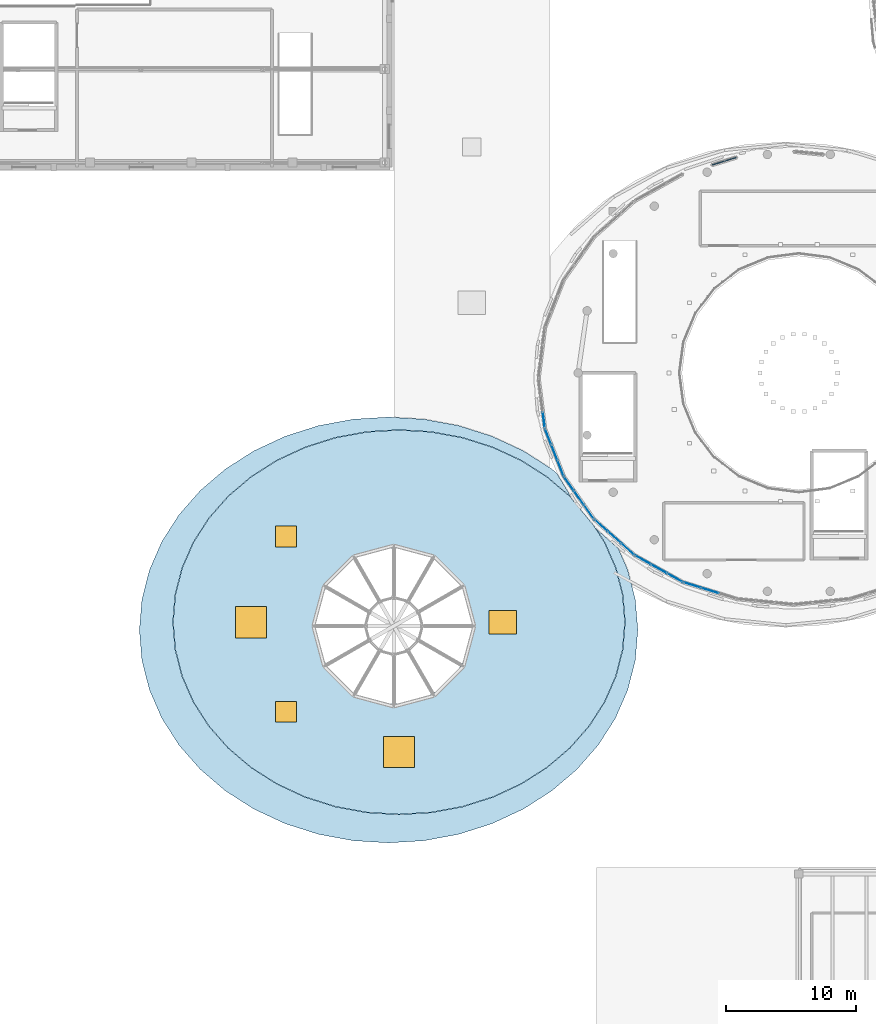
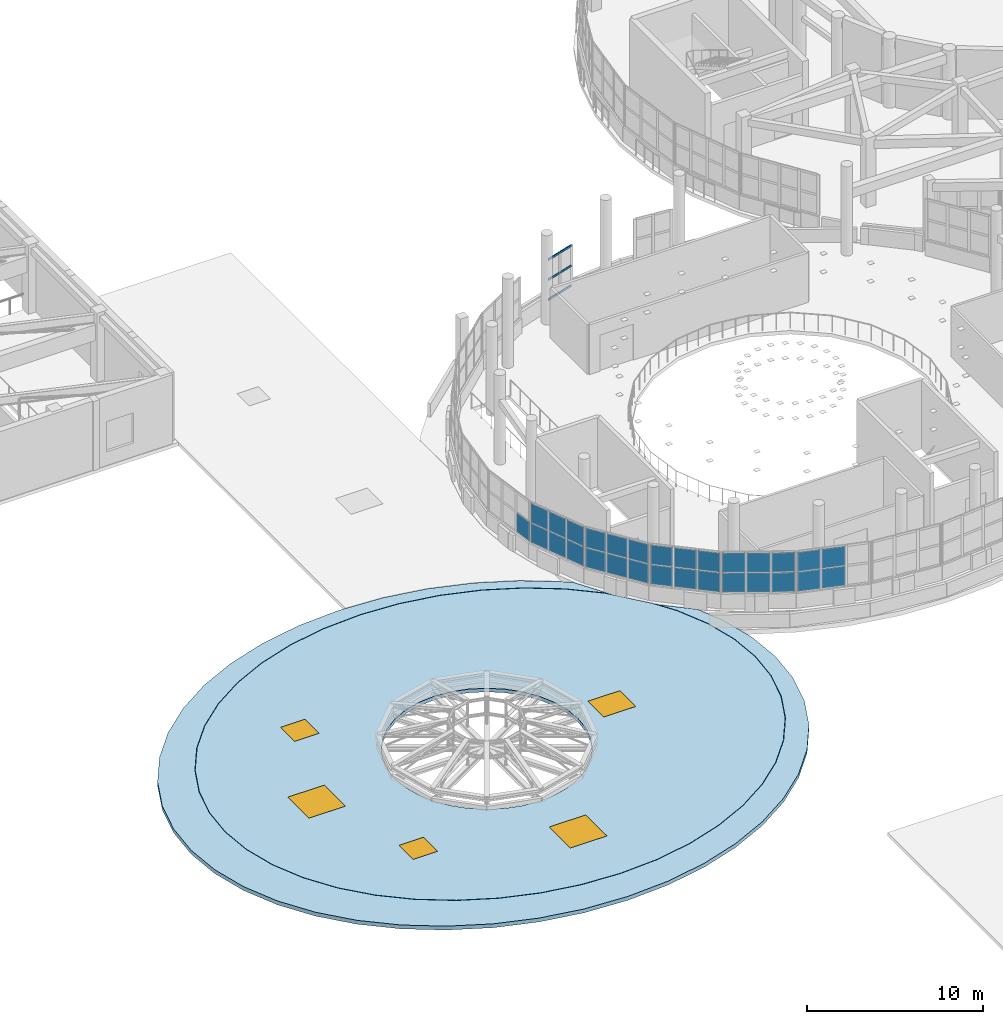
# One storey, part 68 of 105: 29 plates, 6 members, 5 windows, 2 slabs, 5 openings, 7 elements without a shape of their own.
"""IFC4 building model written with IfcOpenShell, lengths in metres."""

import ifcopenshell
import ifcopenshell.guid

model = None  # the IFC model being written
_history = None  # IfcOwnerHistory: only IFC2X3 demands one
_inside = {}  # id of a spatial element -> (the spatial element, [elements in it])
_under = {}  # id of a project, library or spatial element -> (it, [spatial elements below it])
_declared = {}  # id of a project -> (the project, [libraries it declares])
_typed = {}  # id of a type object -> (the type object, [elements of that type])
_made_of = {}  # id of a material, layer set ... -> (it, [elements and type objects made of it])


def new_model(schema):
    """Start an empty IFC model of exactly this schema.

    Asked for "IFC4X3", IfcOpenShell would pick the latest addendum, in which some entities
    have other attributes; the version numbers below select the first issue.
    IFC2X3 requires an IfcOwnerHistory on every rooted entity: one is made here for all.
    """
    global model, _history
    if schema == "IFC4X3":
        model = ifcopenshell.file(schema_version=(4, 3, 0, 0))
    else:
        model = ifcopenshell.file(schema=schema)
    _inside.clear()
    _under.clear()
    _declared.clear()
    _typed.clear()
    _made_of.clear()
    _history = None
    if model.schema == "IFC2X3":
        org = make("IfcOrganization", Name="unknown")
        user = make(
            "IfcPersonAndOrganization",
            ThePerson=make("IfcPerson", FamilyName="unknown"),
            TheOrganization=org,
        )
        app = make(
            "IfcApplication",
            ApplicationDeveloper=org,
            Version="unknown",
            ApplicationFullName="unknown",
            ApplicationIdentifier="unknown",
        )
        _history = make(
            "IfcOwnerHistory",
            OwningUser=user,
            OwningApplication=app,
            ChangeAction="ADDED",
            CreationDate=0,
        )
    return model


def make(cls, **values):
    """One entity of the class cls with the attributes given. An attribute that is None is left unset."""
    return model.create_entity(
        cls, **{name: value for name, value in values.items() if value is not None}
    )


def rooted(cls, **values):
    """An entity with a GlobalId (a new one), such as an element, a storey or a relation."""
    return make(cls, GlobalId=ifcopenshell.guid.new(), OwnerHistory=_history, **values)


def si_unit(unit_type, name, prefix=None):
    """IfcSIUnit, for example si_unit("LENGTHUNIT", "METRE", prefix="MILLI")."""
    return make("IfcSIUnit", UnitType=unit_type, Prefix=prefix, Name=name)


def assignment(units):
    """IfcUnitAssignment: the units of a project."""
    return None if units is None else make("IfcUnitAssignment", Units=units)


def point(xyz):
    """IfcCartesianPoint."""
    return None if xyz is None else make("IfcCartesianPoint", Coordinates=xyz)


def direction(xyz):
    """IfcDirection."""
    return None if xyz is None else make("IfcDirection", DirectionRatios=xyz)


def frame(location, z_axis=None, x_axis=None):
    """IfcAxis2Placement3D, a coordinate frame: its origin and axes. An axis left out is left unset."""
    return make(
        "IfcAxis2Placement3D",
        Location=point(location),
        Axis=direction(z_axis),
        RefDirection=direction(x_axis),
    )


def frame_2d(location, x_axis=None):
    """IfcAxis2Placement2D, a coordinate frame in the plane: its origin and x axis."""
    return make(
        "IfcAxis2Placement2D", Location=point(location), RefDirection=direction(x_axis)
    )


def origin():
    """The frame at (0, 0, 0) with its axes left unset."""
    return frame((0.0, 0.0, 0.0))


def origin_2d():
    """The frame at (0, 0) in the plane with its x axis left unset."""
    return frame_2d((0.0, 0.0))


def place(relative_to, where):
    """IfcLocalPlacement: puts the frame where relative to a parent placement (None: the world)."""
    return make(
        "IfcLocalPlacement", PlacementRelTo=relative_to, RelativePlacement=where
    )


def context(
    kind, dimensions, precision=None, world=None, true_north=None, identifier=None
):
    """IfcGeometricRepresentationContext, for example the 3D "Model" context."""
    return make(
        "IfcGeometricRepresentationContext",
        ContextIdentifier=identifier,
        ContextType=kind,
        CoordinateSpaceDimension=dimensions,
        Precision=precision,
        WorldCoordinateSystem=world,
        TrueNorth=true_north,
    )


def subcontext(parent, identifier, kind, view, scale=None):
    """IfcGeometricRepresentationSubContext, for example "Body" below "Model"."""
    return make(
        "IfcGeometricRepresentationSubContext",
        ContextIdentifier=identifier,
        ContextType=kind,
        ParentContext=parent,
        TargetScale=scale,
        TargetView=view,
    )


def project(units=None, contexts=None):
    """IfcProject with its units and contexts."""
    return rooted(
        "IfcProject",
        Name="project",
        RepresentationContexts=contexts,
        UnitsInContext=assignment(units),
    )


def spatial(cls, under=None, at=None, **own):
    """A site, building, storey or space (cls), placed at a placement, below another one or the project."""
    s = rooted(cls, ObjectPlacement=at, **own)
    if under is not None:
        _under.setdefault(under.id(), (under, []))[1].append(s)
    return s


def polyline(points):
    """IfcPolyline through the points."""
    return make("IfcPolyline", Points=[point(p) for p in points])


def profile(cls, at=None, kind="AREA", **sizes):
    """A parametric profile (cls). Its sizes go by their IFC names, for example OverallWidth=200.0."""
    return make(cls, ProfileType=kind, Position=at, **sizes)


def rectangle(**sizes):
    """IfcRectangleProfileDef."""
    return profile("IfcRectangleProfileDef", **sizes)


def hollow_rectangle(**sizes):
    """IfcRectangleHollowProfileDef."""
    return profile("IfcRectangleHollowProfileDef", **sizes)


def outline(outer, holes=None, kind="AREA"):
    """IfcArbitraryClosedProfileDef: a profile drawn as a closed curve; with holes, ...WithVoids."""
    if holes is None:
        return make("IfcArbitraryClosedProfileDef", ProfileType=kind, OuterCurve=outer)
    return make(
        "IfcArbitraryProfileDefWithVoids",
        ProfileType=kind,
        OuterCurve=outer,
        InnerCurves=holes,
    )


def extrude(swept, where, along, depth):
    """IfcExtrudedAreaSolid: the profile swept, set in the frame where, extruded along a direction by depth."""
    return make(
        "IfcExtrudedAreaSolid",
        SweptArea=swept,
        Position=where,
        ExtrudedDirection=direction(along),
        Depth=depth,
    )


def shape(context_of_items, identifier, shape_type, items):
    """IfcShapeRepresentation: the items that make up one representation, for example the "Body"."""
    return make(
        "IfcShapeRepresentation",
        ContextOfItems=context_of_items,
        RepresentationIdentifier=identifier,
        RepresentationType=shape_type,
        Items=items,
    )


def material(Name=None, Category=None):
    """IfcMaterial."""
    return make("IfcMaterial", Name=Name, Category=Category)


def layer(
    of_material, thickness, ventilated=None, Name=None, Category=None, Priority=None
):
    """IfcMaterialLayer: one layer of a wall or slab, of a material (None: an air gap)."""
    return make(
        "IfcMaterialLayer",
        Material=of_material,
        LayerThickness=thickness,
        IsVentilated=ventilated,
        Name=Name,
        Category=Category,
        Priority=Priority,
    )


def layer_set(layers, Name=None):
    """IfcMaterialLayerSet."""
    return make("IfcMaterialLayerSet", MaterialLayers=layers, LayerSetName=Name)


def material_profile(
    of_material, cross_section, Name=None, Category=None, Priority=None
):
    """IfcMaterialProfile: a cross section and its material."""
    return make(
        "IfcMaterialProfile",
        Name=Name,
        Material=of_material,
        Profile=cross_section,
        Priority=Priority,
        Category=Category,
    )


def profile_set(profiles, Name=None, composite=None):
    """IfcMaterialProfileSet."""
    return make(
        "IfcMaterialProfileSet",
        Name=Name,
        MaterialProfiles=profiles,
        CompositeProfile=composite,
    )


def made_of(thing, what):
    """Note that an element or type object is made of a material, layer set ...; save() writes the relation."""
    if what is not None:
        _made_of.setdefault(what.id(), (what, []))[1].append(thing)
    return thing


def type_object(cls, material=None, **own):
    """A type object (cls), such as IfcWallType, which elements share."""
    return made_of(rooted(cls, **own), material)


def element(
    cls,
    number,
    at=None,
    inside=None,
    cuts=None,
    type_object=None,
    material=None,
    context=None,
    identifier="Body",
    shape_type=None,
    held_by="IfcProductDefinitionShape",
    body=None,
    shapes=None,
    **own,
):
    """One element of the class cls, such as IfcWall. Its Tag is "e" and its number.

    at: its placement. inside: the storey or other place that contains it. cuts: it is an
    opening in that element (IfcRelVoidsElement). A single representation is given by context,
    identifier, shape_type and body (its items); several are given by shapes. held_by: the class
    of the entity that holds the representations. save() writes the other relations.
    """
    e = rooted(cls, Tag="e%d" % number, ObjectPlacement=at, **own)
    if body is not None:
        shapes = [shape(context, identifier, shape_type, body)]
    if shapes is not None:
        e.Representation = make(held_by, Representations=shapes)
    if inside is not None:
        _inside.setdefault(inside.id(), (inside, []))[1].append(e)
    if cuts is not None:
        rooted(
            "IfcRelVoidsElement", RelatingBuildingElement=cuts, RelatedOpeningElement=e
        )
    if type_object is not None:
        _typed.setdefault(type_object.id(), (type_object, []))[1].append(e)
    return made_of(e, material)


def fill(opening, filler):
    """IfcRelFillsElement: the door or window that sits in an opening."""
    return rooted(
        "IfcRelFillsElement",
        RelatingOpeningElement=opening,
        RelatedBuildingElement=filler,
    )


def aggregate(whole, parts):
    """IfcRelAggregates: a whole, such as a stair, and the parts it consists of."""
    return rooted("IfcRelAggregates", RelatingObject=whole, RelatedObjects=parts)


def save(model, path):
    """Write the relations noted so far, then the file.

    IfcRelAggregates (storeys below a building ...), IfcRelContainedInSpatialStructure (elements
    in a storey), IfcRelDefinesByType, IfcRelAssociatesMaterial and IfcRelDeclares: one each for
    every whole, place, type object, material and project.
    """
    for whole, parts in _under.values():
        aggregate(whole, parts)
    for where, things in _inside.values():
        rooted(
            "IfcRelContainedInSpatialStructure",
            RelatedElements=things,
            RelatingStructure=where,
        )
    for kind, things in _typed.values():
        rooted("IfcRelDefinesByType", RelatedObjects=things, RelatingType=kind)
    for what, things in _made_of.values():
        rooted("IfcRelAssociatesMaterial", RelatedObjects=things, RelatingMaterial=what)
    for by, libraries in _declared.values():
        rooted("IfcRelDeclares", RelatingContext=by, RelatedDefinitions=libraries)
    model.write(path)


model = new_model("IFC4")

# Units and contexts
model_context = context("Model", 3, precision=1e-05, world=origin(), true_north=direction((0.0, 1.0)))
body_context = subcontext(model_context, "Body", "Model", "MODEL_VIEW")
ifc_project = project(units=[si_unit("LENGTHUNIT", "METRE"), si_unit("AREAUNIT", "SQUARE_METRE"), si_unit("VOLUMEUNIT", "CUBIC_METRE"), si_unit("PLANEANGLEUNIT", "RADIAN"), si_unit("MASSUNIT", "GRAM", prefix="KILO")], contexts=[model_context])

# Site, building, storey
site_placement = place(None, origin())
site = spatial("IfcSite", under=ifc_project, at=site_placement, CompositionType="ELEMENT")
building_placement = place(site_placement, origin())
building = spatial("IfcBuilding", under=site, at=building_placement, Name="Pelvatis Terrace Science Centre", CompositionType="ELEMENT")
storey_placement = place(building_placement, frame((0.0, 0.0, 10.199951171875)))
storey = spatial("IfcBuildingStorey", under=building, at=storey_placement, Name="L02", CompositionType="ELEMENT", Elevation=10.199951171875)

# Curtain wall, members
ifc_material_1 = material(Name="Bronze-anodised aluminium and laminated glass", Category="aluminium")
ifc_layer_1 = layer(ifc_material_1, 0.179931640625)
ifc_layer_set_1 = layer_set([ifc_layer_1], Name="Bronze-anodised aluminium and laminated glass")
curtain_wall_type = type_object("IfcCurtainWallType", Name="CW-RIBBON-A", PredefinedType="NOTDEFINED", material=ifc_layer_set_1)
curtain_wall_1_placement = place(storey_placement, origin())
curtain_wall_1 = element("IfcCurtainWall", 1, at=curtain_wall_1_placement, inside=storey, type_object=curtain_wall_type, Name="Ribbon curtain wall CW-081 (L02)", PredefinedType="NOTDEFINED")
ifc_material_2 = material(Name="Bronze-anodised aluminium 6063-T6", Category="aluminium")
ifc_material_profile = material_profile(ifc_material_2, hollow_rectangle(XDim=0.06005859375, YDim=0.139892578125, WallThickness=0.00390625, at=origin_2d()), Name="ALU-TRN 60x140")
ifc_profile_set = profile_set([ifc_material_profile], Name="Bronze-anodised aluminium 6063-T6")
member_type = type_object("IfcMemberType", Name="CWT-60x140", PredefinedType="USERDEFINED", material=ifc_profile_set)
member_1_placement = place(storey_placement, frame((73.170166015625, 71.194580078125, 1.050048828125), z_axis=(-0.955009936884, -0.296573802708, 0.0), x_axis=(0.296573802708, -0.955009936884, 0.0)))
member_1 = element("IfcMember", 2, at=member_1_placement, type_object=member_type, Name="CW-081 transom 1.1", ObjectType="TRANSOM", PredefinedType="USERDEFINED", context=body_context, shape_type="SweptSolid", body=[
    extrude(hollow_rectangle(XDim=0.06005859375, YDim=0.139892578125, WallThickness=0.00390625, at=origin_2d()), origin(), (0.0, 0.0, 1.0), 0.923583984375),
])
member_2_placement = place(storey_placement, frame((73.170166015625, 71.194580078125, 2.43994140625), z_axis=(-0.955009936884, -0.296573802708, 0.0), x_axis=(0.296573802708, -0.955009936884, 0.0)))
member_2 = element("IfcMember", 3, at=member_2_placement, type_object=member_type, Name="CW-081 transom 1.2", ObjectType="TRANSOM", PredefinedType="USERDEFINED", context=body_context, shape_type="SweptSolid", body=[
    extrude(hollow_rectangle(XDim=0.06005859375, YDim=0.139892578125, WallThickness=0.00390625, at=origin_2d()), origin(), (0.0, 0.0, 1.0), 0.923583984375),
])
member_3_placement = place(storey_placement, frame((73.170166015625, 71.194580078125, 3.830078125), z_axis=(-0.955009936884, -0.296573802708, 0.0), x_axis=(0.296573802708, -0.955009936884, 0.0)))
member_3 = element("IfcMember", 4, at=member_3_placement, type_object=member_type, Name="CW-081 transom 1.3", ObjectType="TRANSOM", PredefinedType="USERDEFINED", context=body_context, shape_type="SweptSolid", body=[
    extrude(hollow_rectangle(XDim=0.06005859375, YDim=0.139892578125, WallThickness=0.00390625, at=origin_2d()), origin(), (0.0, 0.0, 1.0), 0.923583984375),
])
member_4_placement = place(storey_placement, frame((72.230712890625, 70.90283203125, 1.050048828125), z_axis=(-0.954935047025, -0.296814851317, 0.0), x_axis=(0.296814851317, -0.954935047025, 0.0)))
member_4 = element("IfcMember", 5, at=member_4_placement, type_object=member_type, Name="CW-081 transom 2.1", ObjectType="TRANSOM", PredefinedType="USERDEFINED", context=body_context, shape_type="SweptSolid", body=[
    extrude(hollow_rectangle(XDim=0.06005859375, YDim=0.139892578125, WallThickness=0.00390625, at=origin_2d()), origin(), (0.0, 0.0, 1.0), 0.923828125),
])
member_5_placement = place(storey_placement, frame((72.230712890625, 70.90283203125, 2.43994140625), z_axis=(-0.954935047025, -0.296814851317, 0.0), x_axis=(0.296814851317, -0.954935047025, 0.0)))
member_5 = element("IfcMember", 6, at=member_5_placement, type_object=member_type, Name="CW-081 transom 2.2", ObjectType="TRANSOM", PredefinedType="USERDEFINED", context=body_context, shape_type="SweptSolid", body=[
    extrude(hollow_rectangle(XDim=0.06005859375, YDim=0.139892578125, WallThickness=0.00390625, at=origin_2d()), origin(), (0.0, 0.0, 1.0), 0.923828125),
])
member_6_placement = place(storey_placement, frame((72.230712890625, 70.90283203125, 3.830078125), z_axis=(-0.954935047025, -0.296814851317, 0.0), x_axis=(0.296814851317, -0.954935047025, 0.0)))
member_6 = element("IfcMember", 7, at=member_6_placement, type_object=member_type, Name="CW-081 transom 2.3", ObjectType="TRANSOM", PredefinedType="USERDEFINED", context=body_context, shape_type="SweptSolid", body=[
    extrude(hollow_rectangle(XDim=0.06005859375, YDim=0.139892578125, WallThickness=0.00390625, at=origin_2d()), origin(), (0.0, 0.0, 1.0), 0.923828125),
])
aggregate(curtain_wall_1, [member_1, member_2, member_3, member_4, member_5, member_6])

# Curtain wall, plate
curtain_wall_2_placement = place(storey_placement, origin())
curtain_wall_2 = element("IfcCurtainWall", 8, at=curtain_wall_2_placement, inside=storey, type_object=curtain_wall_type, Name="Ribbon curtain wall CW-087 (L02)", PredefinedType="NOTDEFINED")
ifc_material_3 = material(Name="Low-e laminated solar-control double glazing", Category="glass")
ifc_layer_2 = layer(ifc_material_3, 0.035888671875)
ifc_layer_set_2 = layer_set([ifc_layer_2], Name="Low-e laminated solar-control double glazing")
plate_type = type_object("IfcPlateType", Name="CWP-IGU-36", PredefinedType="CURTAIN_PANEL", material=ifc_layer_set_2)
plate_1_placement = place(storey_placement, frame((58.358642578125, 50.97900390625, 1.080078125), z_axis=(0.0, 0.0, 1.0), x_axis=(0.125877152665, -0.992045836863, 0.0)))
plate_1 = element("IfcPlate", 9, at=plate_1_placement, type_object=plate_type, Name="CW-087 panel 3.1", PredefinedType="CURTAIN_PANEL", context=body_context, shape_type="SweptSolid", body=[
    extrude(rectangle(XDim=1.214599609375, YDim=0.035888671875, at=origin_2d()), origin(), (0.0, 0.0, 1.0), 1.330078125),
])
aggregate(curtain_wall_2, [plate_1])

# Curtain wall, plates
curtain_wall_3_placement = place(storey_placement, origin())
curtain_wall_3 = element("IfcCurtainWall", 10, at=curtain_wall_3_placement, inside=storey, type_object=curtain_wall_type, Name="Ribbon curtain wall CW-088 (L02)", PredefinedType="NOTDEFINED")
plate_2_placement = place(storey_placement, frame((58.6904296875, 49.688232421875, 1.080078125), z_axis=(0.0, 0.0, 1.0), x_axis=(0.366597305287, -0.930379715899, 0.0)))
plate_2 = element("IfcPlate", 11, at=plate_2_placement, type_object=plate_type, Name="CW-088 panel 1.1", PredefinedType="CURTAIN_PANEL", context=body_context, shape_type="SweptSolid", body=[
    extrude(rectangle(XDim=1.2314453125, YDim=0.035888671875, at=origin_2d()), origin(), (0.0, 0.0, 1.0), 1.330078125),
])
plate_3_placement = place(storey_placement, frame((58.6904296875, 49.688232421875, 2.469970703125), z_axis=(0.0, 0.0, 1.0), x_axis=(0.366597305287, -0.930379715899, 0.0)))
plate_3 = element("IfcPlate", 12, at=plate_3_placement, type_object=plate_type, Name="CW-088 panel 1.2", PredefinedType="CURTAIN_PANEL", context=body_context, shape_type="SweptSolid", body=[
    extrude(rectangle(XDim=1.2314453125, YDim=0.035888671875, at=origin_2d()), origin(), (0.0, 0.0, 1.0), 1.330078125),
])
plate_4_placement = place(storey_placement, frame((59.16943359375, 48.472900390625, 1.080078125), z_axis=(0.0, 0.0, 1.0), x_axis=(0.366597305287, -0.930379715899, 0.0)))
plate_4 = element("IfcPlate", 13, at=plate_4_placement, type_object=plate_type, Name="CW-088 panel 2.1", PredefinedType="CURTAIN_PANEL", context=body_context, shape_type="SweptSolid", body=[
    extrude(rectangle(XDim=1.261474609375, YDim=0.035888671875, at=origin_2d()), origin(), (0.0, 0.0, 1.0), 1.330078125),
])
plate_5_placement = place(storey_placement, frame((59.16943359375, 48.472900390625, 2.469970703125), z_axis=(0.0, 0.0, 1.0), x_axis=(0.366597305287, -0.930379715899, 0.0)))
plate_5 = element("IfcPlate", 14, at=plate_5_placement, type_object=plate_type, Name="CW-088 panel 2.2", PredefinedType="CURTAIN_PANEL", context=body_context, shape_type="SweptSolid", body=[
    extrude(rectangle(XDim=1.261474609375, YDim=0.035888671875, at=origin_2d()), origin(), (0.0, 0.0, 1.0), 1.330078125),
])
plate_6_placement = place(storey_placement, frame((59.648193359375, 47.25732421875, 1.080078125), z_axis=(0.0, 0.0, 1.0), x_axis=(0.366597305287, -0.930379715899, 0.0)))
plate_6 = element("IfcPlate", 15, at=plate_6_placement, type_object=plate_type, Name="CW-088 panel 3.1", PredefinedType="CURTAIN_PANEL", context=body_context, shape_type="SweptSolid", body=[
    extrude(rectangle(XDim=1.2314453125, YDim=0.035888671875, at=origin_2d()), origin(), (0.0, 0.0, 1.0), 1.330078125),
])
plate_7_placement = place(storey_placement, frame((59.648193359375, 47.25732421875, 2.469970703125), z_axis=(0.0, 0.0, 1.0), x_axis=(0.366597305287, -0.930379715899, 0.0)))
plate_7 = element("IfcPlate", 16, at=plate_7_placement, type_object=plate_type, Name="CW-088 panel 3.2", PredefinedType="CURTAIN_PANEL", context=body_context, shape_type="SweptSolid", body=[
    extrude(rectangle(XDim=1.2314453125, YDim=0.035888671875, at=origin_2d()), origin(), (0.0, 0.0, 1.0), 1.330078125),
])
aggregate(curtain_wall_3, [plate_2, plate_3, plate_4, plate_5, plate_6, plate_7])

curtain_wall_4_placement = place(storey_placement, origin())
curtain_wall_4 = element("IfcCurtainWall", 17, at=curtain_wall_4_placement, inside=storey, type_object=curtain_wall_type, Name="Ribbon curtain wall CW-089 (L02)", PredefinedType="NOTDEFINED")
plate_8_placement = place(storey_placement, frame((60.294921875, 46.06494140625, 1.080078125), z_axis=(0.0, 0.0, 1.0), x_axis=(0.57759146286, -0.8163259778, 0.0)))
plate_8 = element("IfcPlate", 18, at=plate_8_placement, type_object=plate_type, Name="CW-089 panel 1.1", PredefinedType="CURTAIN_PANEL", context=body_context, shape_type="SweptSolid", body=[
    extrude(rectangle(XDim=1.260986328125, YDim=0.035888671875, at=origin_2d()), origin(), (0.0, 0.0, 1.0), 1.330078125),
])
plate_9_placement = place(storey_placement, frame((60.294921875, 46.06494140625, 2.469970703125), z_axis=(0.0, 0.0, 1.0), x_axis=(0.57759146286, -0.8163259778, 0.0)))
plate_9 = element("IfcPlate", 19, at=plate_9_placement, type_object=plate_type, Name="CW-089 panel 1.2", PredefinedType="CURTAIN_PANEL", context=body_context, shape_type="SweptSolid", body=[
    extrude(rectangle(XDim=1.260986328125, YDim=0.035888671875, at=origin_2d()), origin(), (0.0, 0.0, 1.0), 1.330078125),
])
plate_10_placement = place(storey_placement, frame((61.06640625, 44.974365234375, 1.080078125), z_axis=(0.0, 0.0, 1.0), x_axis=(0.57759146286, -0.8163259778, 0.0)))
plate_10 = element("IfcPlate", 20, at=plate_10_placement, type_object=plate_type, Name="CW-089 panel 2.1", PredefinedType="CURTAIN_PANEL", context=body_context, shape_type="SweptSolid", body=[
    extrude(rectangle(XDim=1.291015625, YDim=0.035888671875, at=origin_2d()), origin(), (0.0, 0.0, 1.0), 1.330078125),
])
plate_11_placement = place(storey_placement, frame((61.06640625, 44.974365234375, 2.469970703125), z_axis=(0.0, 0.0, 1.0), x_axis=(0.57759146286, -0.8163259778, 0.0)))
plate_11 = element("IfcPlate", 21, at=plate_11_placement, type_object=plate_type, Name="CW-089 panel 2.2", PredefinedType="CURTAIN_PANEL", context=body_context, shape_type="SweptSolid", body=[
    extrude(rectangle(XDim=1.291015625, YDim=0.035888671875, at=origin_2d()), origin(), (0.0, 0.0, 1.0), 1.330078125),
])
plate_12_placement = place(storey_placement, frame((61.838134765625, 43.8837890625, 1.080078125), z_axis=(0.0, 0.0, 1.0), x_axis=(0.57759146286, -0.8163259778, 0.0)))
plate_12 = element("IfcPlate", 22, at=plate_12_placement, type_object=plate_type, Name="CW-089 panel 3.1", PredefinedType="CURTAIN_PANEL", context=body_context, shape_type="SweptSolid", body=[
    extrude(rectangle(XDim=1.260986328125, YDim=0.035888671875, at=origin_2d()), origin(), (0.0, 0.0, 1.0), 1.330078125),
])
plate_13_placement = place(storey_placement, frame((61.838134765625, 43.8837890625, 2.469970703125), z_axis=(0.0, 0.0, 1.0), x_axis=(0.57759146286, -0.8163259778, 0.0)))
plate_13 = element("IfcPlate", 23, at=plate_13_placement, type_object=plate_type, Name="CW-089 panel 3.2", PredefinedType="CURTAIN_PANEL", context=body_context, shape_type="SweptSolid", body=[
    extrude(rectangle(XDim=1.260986328125, YDim=0.035888671875, at=origin_2d()), origin(), (0.0, 0.0, 1.0), 1.330078125),
])
aggregate(curtain_wall_4, [plate_8, plate_9, plate_10, plate_11, plate_12, plate_13])

curtain_wall_5_placement = place(storey_placement, origin())
curtain_wall_5 = element("IfcCurtainWall", 24, at=curtain_wall_5_placement, inside=storey, type_object=curtain_wall_type, Name="Ribbon curtain wall CW-090 (L02)", PredefinedType="NOTDEFINED")
plate_14_placement = place(storey_placement, frame((62.766845703125, 42.849609375, 1.080078125), z_axis=(0.0, 0.0, 1.0), x_axis=(0.747718167808, -0.664016220834, 0.0)))
plate_14 = element("IfcPlate", 25, at=plate_14_placement, type_object=plate_type, Name="CW-090 panel 1.1", PredefinedType="CURTAIN_PANEL", context=body_context, shape_type="SweptSolid", body=[
    extrude(rectangle(XDim=1.297119140625, YDim=0.035888671875, at=origin_2d()), origin(), (0.0, 0.0, 1.0), 1.330078125),
])
plate_15_placement = place(storey_placement, frame((62.766845703125, 42.849609375, 2.469970703125), z_axis=(0.0, 0.0, 1.0), x_axis=(0.747718167808, -0.664016220834, 0.0)))
plate_15 = element("IfcPlate", 26, at=plate_15_placement, type_object=plate_type, Name="CW-090 panel 1.2", PredefinedType="CURTAIN_PANEL", context=body_context, shape_type="SweptSolid", body=[
    extrude(rectangle(XDim=1.297119140625, YDim=0.035888671875, at=origin_2d()), origin(), (0.0, 0.0, 1.0), 1.330078125),
])
plate_16_placement = place(storey_placement, frame((63.792724609375, 41.9384765625, 1.080078125), z_axis=(0.0, 0.0, 1.0), x_axis=(0.747718167808, -0.664016220834, 0.0)))
plate_16 = element("IfcPlate", 27, at=plate_16_placement, type_object=plate_type, Name="CW-090 panel 2.1", PredefinedType="CURTAIN_PANEL", context=body_context, shape_type="SweptSolid", body=[
    extrude(rectangle(XDim=1.3271484375, YDim=0.035888671875, at=origin_2d()), origin(), (0.0, 0.0, 1.0), 1.330078125),
])
plate_17_placement = place(storey_placement, frame((63.792724609375, 41.9384765625, 2.469970703125), z_axis=(0.0, 0.0, 1.0), x_axis=(0.747718167808, -0.664016220834, 0.0)))
plate_17 = element("IfcPlate", 28, at=plate_17_placement, type_object=plate_type, Name="CW-090 panel 2.2", PredefinedType="CURTAIN_PANEL", context=body_context, shape_type="SweptSolid", body=[
    extrude(rectangle(XDim=1.3271484375, YDim=0.035888671875, at=origin_2d()), origin(), (0.0, 0.0, 1.0), 1.330078125),
])
plate_18_placement = place(storey_placement, frame((64.818603515625, 41.027587890625, 1.080078125), z_axis=(0.0, 0.0, 1.0), x_axis=(0.747718167808, -0.664016220834, 0.0)))
plate_18 = element("IfcPlate", 29, at=plate_18_placement, type_object=plate_type, Name="CW-090 panel 3.1", PredefinedType="CURTAIN_PANEL", context=body_context, shape_type="SweptSolid", body=[
    extrude(rectangle(XDim=1.297119140625, YDim=0.035888671875, at=origin_2d()), origin(), (0.0, 0.0, 1.0), 1.330078125),
])
plate_19_placement = place(storey_placement, frame((64.818603515625, 41.027587890625, 2.469970703125), z_axis=(0.0, 0.0, 1.0), x_axis=(0.747718167808, -0.664016220834, 0.0)))
plate_19 = element("IfcPlate", 30, at=plate_19_placement, type_object=plate_type, Name="CW-090 panel 3.2", PredefinedType="CURTAIN_PANEL", context=body_context, shape_type="SweptSolid", body=[
    extrude(rectangle(XDim=1.297119140625, YDim=0.035888671875, at=origin_2d()), origin(), (0.0, 0.0, 1.0), 1.330078125),
])
aggregate(curtain_wall_5, [plate_14, plate_15, plate_16, plate_17, plate_18, plate_19])

curtain_wall_6_placement = place(storey_placement, origin())
curtain_wall_6 = element("IfcCurtainWall", 31, at=curtain_wall_6_placement, inside=storey, type_object=curtain_wall_type, Name="Ribbon curtain wall CW-091 (L02)", PredefinedType="NOTDEFINED")
plate_20_placement = place(storey_placement, frame((65.982421875, 40.203125, 1.080078125), z_axis=(0.0, 0.0, 1.0), x_axis=(0.87325916589, -0.487256020167, 0.0)))
plate_20 = element("IfcPlate", 32, at=plate_20_placement, type_object=plate_type, Name="CW-091 panel 1.1", PredefinedType="CURTAIN_PANEL", context=body_context, shape_type="SweptSolid", body=[
    extrude(rectangle(XDim=1.332275390625, YDim=0.035888671875, at=origin_2d()), origin(), (0.0, 0.0, 1.0), 1.330078125),
])
plate_21_placement = place(storey_placement, frame((65.982421875, 40.203125, 2.469970703125), z_axis=(0.0, 0.0, 1.0), x_axis=(0.87325916589, -0.487256020167, 0.0)))
plate_21 = element("IfcPlate", 33, at=plate_21_placement, type_object=plate_type, Name="CW-091 panel 1.2", PredefinedType="CURTAIN_PANEL", context=body_context, shape_type="SweptSolid", body=[
    extrude(rectangle(XDim=1.332275390625, YDim=0.035888671875, at=origin_2d()), origin(), (0.0, 0.0, 1.0), 1.330078125),
])
plate_22_placement = place(storey_placement, frame((67.211181640625, 39.517578125, 1.080078125), z_axis=(0.0, 0.0, 1.0), x_axis=(0.87325916589, -0.487256020167, 0.0)))
plate_22 = element("IfcPlate", 34, at=plate_22_placement, type_object=plate_type, Name="CW-091 panel 2.1", PredefinedType="CURTAIN_PANEL", context=body_context, shape_type="SweptSolid", body=[
    extrude(rectangle(XDim=1.362060546875, YDim=0.035888671875, at=origin_2d()), origin(), (0.0, 0.0, 1.0), 1.330078125),
])
plate_23_placement = place(storey_placement, frame((67.211181640625, 39.517578125, 2.469970703125), z_axis=(0.0, 0.0, 1.0), x_axis=(0.87325916589, -0.487256020167, 0.0)))
plate_23 = element("IfcPlate", 35, at=plate_23_placement, type_object=plate_type, Name="CW-091 panel 2.2", PredefinedType="CURTAIN_PANEL", context=body_context, shape_type="SweptSolid", body=[
    extrude(rectangle(XDim=1.362060546875, YDim=0.035888671875, at=origin_2d()), origin(), (0.0, 0.0, 1.0), 1.330078125),
])
plate_24_placement = place(storey_placement, frame((68.440185546875, 38.831787109375, 1.080078125), z_axis=(0.0, 0.0, 1.0), x_axis=(0.87325916589, -0.487256020167, 0.0)))
plate_24 = element("IfcPlate", 36, at=plate_24_placement, type_object=plate_type, Name="CW-091 panel 3.1", PredefinedType="CURTAIN_PANEL", context=body_context, shape_type="SweptSolid", body=[
    extrude(rectangle(XDim=1.332275390625, YDim=0.035888671875, at=origin_2d()), origin(), (0.0, 0.0, 1.0), 1.330078125),
])
plate_25_placement = place(storey_placement, frame((68.440185546875, 38.831787109375, 2.469970703125), z_axis=(0.0, 0.0, 1.0), x_axis=(0.87325916589, -0.487256020167, 0.0)))
plate_25 = element("IfcPlate", 37, at=plate_25_placement, type_object=plate_type, Name="CW-091 panel 3.2", PredefinedType="CURTAIN_PANEL", context=body_context, shape_type="SweptSolid", body=[
    extrude(rectangle(XDim=1.332275390625, YDim=0.035888671875, at=origin_2d()), origin(), (0.0, 0.0, 1.0), 1.330078125),
])
aggregate(curtain_wall_6, [plate_20, plate_21, plate_22, plate_23, plate_24, plate_25])

curtain_wall_7_placement = place(storey_placement, origin())
curtain_wall_7 = element("IfcCurtainWall", 38, at=curtain_wall_7_placement, inside=storey, type_object=curtain_wall_type, Name="Ribbon curtain wall CW-092 (L02)", PredefinedType="NOTDEFINED")
plate_26_placement = place(storey_placement, frame((69.78076171875, 38.258544921875, 1.080078125), z_axis=(0.0, 0.0, 1.0), x_axis=(0.954957016175, -0.296744161288, 0.0)))
plate_26 = element("IfcPlate", 39, at=plate_26_placement, type_object=plate_type, Name="CW-092 panel 1.1", PredefinedType="CURTAIN_PANEL", context=body_context, shape_type="SweptSolid", body=[
    extrude(rectangle(XDim=1.359619140625, YDim=0.035888671875, at=origin_2d()), origin(), (0.0, 0.0, 1.0), 1.330078125),
])
plate_27_placement = place(storey_placement, frame((69.78076171875, 38.258544921875, 2.469970703125), z_axis=(0.0, 0.0, 1.0), x_axis=(0.954957016175, -0.296744161288, 0.0)))
plate_27 = element("IfcPlate", 40, at=plate_27_placement, type_object=plate_type, Name="CW-092 panel 1.2", PredefinedType="CURTAIN_PANEL", context=body_context, shape_type="SweptSolid", body=[
    extrude(rectangle(XDim=1.359619140625, YDim=0.035888671875, at=origin_2d()), origin(), (0.0, 0.0, 1.0), 1.330078125),
])
plate_28_placement = place(storey_placement, frame((71.15087890625, 37.832763671875, 1.080078125), z_axis=(0.0, 0.0, 1.0), x_axis=(0.954957016175, -0.296744161288, 0.0)))
plate_28 = element("IfcPlate", 41, at=plate_28_placement, type_object=plate_type, Name="CW-092 panel 2.1", PredefinedType="CURTAIN_PANEL", context=body_context, shape_type="SweptSolid", body=[
    extrude(rectangle(XDim=1.3896484375, YDim=0.035888671875, at=origin_2d()), origin(), (0.0, 0.0, 1.0), 1.330078125),
])
plate_29_placement = place(storey_placement, frame((71.15087890625, 37.832763671875, 2.469970703125), z_axis=(0.0, 0.0, 1.0), x_axis=(0.954957016175, -0.296744161288, 0.0)))
plate_29 = element("IfcPlate", 42, at=plate_29_placement, type_object=plate_type, Name="CW-092 panel 2.2", PredefinedType="CURTAIN_PANEL", context=body_context, shape_type="SweptSolid", body=[
    extrude(rectangle(XDim=1.3896484375, YDim=0.035888671875, at=origin_2d()), origin(), (0.0, 0.0, 1.0), 1.330078125),
])
aggregate(curtain_wall_7, [plate_26, plate_27, plate_28, plate_29])

# Slab
ifc_material_4 = material(Name="Concrete C35/45", Category="concrete")
ifc_layer_3 = layer(ifc_material_4, 0.26806640625)
ifc_layer_set_3 = layer_set([ifc_layer_3], Name="Concrete C35/45")
slab_type_1 = type_object("IfcSlabType", Name="SLB-ROOF-220", PredefinedType="ROOF", material=ifc_layer_set_3)
slab_1_placement = place(storey_placement, frame((0.0, 0.0, -0.26806640625)))
element("IfcSlab", 43, at=slab_1_placement, inside=storey, type_object=slab_type_1, Name="L02 Rotunda spiral step collar roof", PredefinedType="ROOF", context=body_context, shape_type="SweptSolid", body=[
    extrude(outline(polyline([(65.404541015625, 32.466064453125), (64.822265625, 30.1796875), (63.864990234375, 27.9873046875), (62.552001953125, 25.93359375), (60.910400390625, 24.060302734375), (58.973388671875, 22.40576171875), (56.7802734375, 21.00341796875), (54.3759765625, 19.882080078125), (51.809326171875, 19.064208984375), (49.13232421875, 18.56689453125), (46.39990234375, 18.39990234375), (43.66748046875, 18.56689453125), (40.99072265625, 19.064208984375), (38.424072265625, 19.882080078125), (36.019775390625, 21.00341796875), (33.82666015625, 22.40576171875), (31.8896484375, 24.060302734375), (30.247802734375, 25.93359375), (28.93505859375, 27.9873046875), (27.977783203125, 30.1796875), (27.3955078125, 32.466064453125), (27.199951171875, 34.800048828125), (27.3955078125, 37.134033203125), (27.977783203125, 39.42041015625), (28.93505859375, 41.61279296875), (30.247802734375, 43.66650390625), (31.8896484375, 45.539794921875), (33.82666015625, 47.1943359375), (36.019775390625, 48.5966796875), (38.424072265625, 49.718017578125), (40.99072265625, 50.53564453125), (43.66748046875, 51.033203125), (46.39990234375, 51.199951171875), (49.13232421875, 51.033203125), (51.809326171875, 50.53564453125), (54.3759765625, 49.718017578125), (56.7802734375, 48.5966796875), (58.973388671875, 47.1943359375), (59.36181640625, 46.8623046875), (60.5703125, 44.871826171875), (60.363037109375, 45.107177734375), (58.607666015625, 46.600341796875), (56.615478515625, 47.86865234375), (54.43408203125, 48.881591796875), (52.105712890625, 49.6201171875), (49.679931640625, 50.069091796875), (47.201171875, 50.219970703125), (44.72021484375, 50.069091796875), (42.294189453125, 49.6201171875), (39.9658203125, 48.881591796875), (37.781982421875, 47.867431640625), (35.794677734375, 46.60205078125), (34.037109375, 45.107177734375), (32.546142578125, 43.41357421875), (31.35400390625, 41.55615234375), (30.48583984375, 39.576171875), (29.957763671875, 37.51123046875), (29.780029296875, 35.39990234375), (29.957763671875, 33.288818359375), (30.48583984375, 31.223876953125), (31.35400390625, 29.243896484375), (32.547119140625, 27.38525390625), (34.037109375, 25.69287109375), (35.79248046875, 24.19970703125), (37.781982421875, 22.9326171875), (39.9658203125, 21.918212890625), (42.294189453125, 21.1796875), (44.722412109375, 20.730712890625), (47.19873046875, 20.580078125), (49.677490234375, 20.730712890625), (52.108154296875, 21.180419921875), (54.43408203125, 21.918212890625), (56.615478515625, 22.931396484375), (58.607666015625, 24.19970703125), (60.363037109375, 25.69287109375), (61.852783203125, 27.38525390625), (63.045166015625, 29.242431640625), (63.91455078125, 31.225341796875), (64.442626953125, 33.290283203125), (64.619873046875, 35.398193359375), (64.442626953125, 37.509521484375), (63.91357421875, 39.57763671875), (63.045166015625, 41.5576171875), (62.262451171875, 42.777099609375), (62.4716796875, 42.528564453125), (64.096435546875, 41.08251953125), (64.822265625, 39.42041015625), (65.404541015625, 37.134033203125), (65.60009765625, 34.800048828125), (65.404541015625, 32.466064453125)])), origin(), (0.0, 0.0, 1.0), 0.26806640625),
])

# Slab, openings, windows
ifc_material_5 = material(Name="Concrete C35/45", Category="concrete")
ifc_layer_4 = layer(ifc_material_5, 0.248046875)
ifc_layer_set_4 = layer_set([ifc_layer_4], Name="Concrete C35/45")
slab_type_2 = type_object("IfcSlabType", Name="SLB-ROOF-248", PredefinedType="ROOF", material=ifc_layer_set_4)
slab_2_placement = place(storey_placement, frame((0.0, 0.0, -0.248046875)))
slab_2 = element("IfcSlab", 44, at=slab_2_placement, inside=storey, type_object=slab_type_2, Name="L02 Entrance Rotunda coffered oculus roof slab", PredefinedType="ROOF", context=body_context, shape_type="SweptSolid", body=[
    extrude(outline(polyline([(63.895263671875, 31.23046875), (63.027587890625, 29.251953125), (61.837890625, 27.3984375), (60.35009765625, 25.7080078125), (58.594482421875, 24.21484375), (56.607177734375, 22.949462890625), (54.42822265625, 21.9375), (52.10205078125, 21.199462890625), (49.67626953125, 20.75048828125), (47.199951171875, 20.60009765625), (44.7236328125, 20.75048828125), (42.2978515625, 21.199462890625), (39.9716796875, 21.9375), (37.792724609375, 22.949462890625), (35.805419921875, 24.21484375), (34.050048828125, 25.7080078125), (32.562255859375, 27.3984375), (31.372314453125, 29.251953125), (30.5048828125, 31.23046875), (29.97705078125, 33.293701171875), (29.800048828125, 35.39990234375), (29.97705078125, 37.50634765625), (30.5048828125, 39.569580078125), (31.372314453125, 41.548095703125), (32.562255859375, 43.401611328125), (34.050048828125, 45.091796875), (35.805419921875, 46.585205078125), (37.792724609375, 47.8505859375), (39.9716796875, 48.862548828125), (42.2978515625, 49.6005859375), (44.7236328125, 50.04931640625), (47.199951171875, 50.199951171875), (49.67626953125, 50.04931640625), (52.10205078125, 49.6005859375), (54.42822265625, 48.862548828125), (56.607177734375, 47.8505859375), (58.594482421875, 46.585205078125), (60.35009765625, 45.091796875), (62.162109375, 42.896240234375), (63.027587890625, 41.548095703125), (63.895263671875, 39.569580078125), (64.4228515625, 37.50634765625), (64.60009765625, 35.39990234375), (64.4228515625, 33.293701171875), (63.895263671875, 31.23046875)]), holes=[polyline([(52.708740234375, 36.141845703125), (52.438232421875, 37.152099609375), (51.99609375, 38.10009765625), (51.396240234375, 38.956787109375), (50.65673828125, 39.6962890625), (49.800048828125, 40.296142578125), (48.85205078125, 40.73828125), (47.841796875, 41.0087890625), (46.800048828125, 41.10009765625), (45.758056640625, 41.0087890625), (44.747802734375, 40.73828125), (43.800048828125, 40.296142578125), (42.943359375, 39.6962890625), (42.20361328125, 38.956787109375), (41.603759765625, 38.10009765625), (41.161865234375, 37.152099609375), (40.89111328125, 36.141845703125), (40.800048828125, 35.10009765625), (40.89111328125, 34.05810546875), (41.161865234375, 33.0478515625), (41.603759765625, 32.10009765625), (42.20361328125, 31.243408203125), (42.943359375, 30.503662109375), (43.800048828125, 29.90380859375), (44.747802734375, 29.4619140625), (45.758056640625, 29.191162109375), (46.800048828125, 29.10009765625), (47.841796875, 29.191162109375), (48.85205078125, 29.4619140625), (49.800048828125, 29.90380859375), (50.65673828125, 30.503662109375), (51.396240234375, 31.243408203125), (51.99609375, 32.10009765625), (52.438232421875, 33.0478515625), (52.708740234375, 34.05810546875), (52.800048828125, 35.10009765625), (52.708740234375, 36.141845703125)])]), origin(), (0.0, 0.0, 1.0), 0.248046875),
])
opening_1_placement = place(slab_2_placement, frame((35.800048828125, 35.39990234375, 0.0)))
opening_1 = element("IfcOpeningElement", 45, at=opening_1_placement, cuts=slab_2, Name="Opening SKY-01", PredefinedType="OPENING", context=body_context, shape_type="SweptSolid", body=[
    extrude(rectangle(XDim=2.39990234375, YDim=2.39990234375, at=origin_2d()), origin(), (0.0, 0.0, 1.0), 0.248046875),
])
opening_2_placement = place(slab_2_placement, frame((47.199951171875, 25.39990234375, 0.0)))
opening_2 = element("IfcOpeningElement", 46, at=opening_2_placement, cuts=slab_2, Name="Opening SKY-02", PredefinedType="OPENING", context=body_context, shape_type="SweptSolid", body=[
    extrude(rectangle(XDim=2.39990234375, YDim=2.39990234375, at=origin_2d()), origin(), (0.0, 0.0, 1.0), 0.248046875),
])
opening_3_placement = place(slab_2_placement, frame((55.199951171875, 35.39990234375, 0.0)))
opening_3 = element("IfcOpeningElement", 47, at=opening_3_placement, cuts=slab_2, Name="Opening SKY-03", PredefinedType="OPENING", context=body_context, shape_type="SweptSolid", body=[
    extrude(rectangle(XDim=2.10009765625, YDim=1.800048828125, at=origin_2d()), origin(), (0.0, 0.0, 1.0), 0.248046875),
])
opening_4_placement = place(slab_2_placement, frame((38.5, 28.5, 0.0)))
opening_4 = element("IfcOpeningElement", 48, at=opening_4_placement, cuts=slab_2, Name="Opening LDM-01", PredefinedType="OPENING", context=body_context, shape_type="SweptSolid", body=[
    extrude(rectangle(XDim=1.60009765625, YDim=1.60009765625, at=origin_2d()), origin(), (0.0, 0.0, 1.0), 0.248046875),
])
opening_5_placement = place(slab_2_placement, frame((38.5, 42.0, 0.0)))
opening_5 = element("IfcOpeningElement", 49, at=opening_5_placement, cuts=slab_2, Name="Opening LDM-02", PredefinedType="OPENING", context=body_context, shape_type="SweptSolid", body=[
    extrude(rectangle(XDim=1.60009765625, YDim=1.60009765625, at=origin_2d()), origin(), (0.0, 0.0, 1.0), 0.248046875),
])
ifc_material_6 = material(Name="Bronze-anodised aluminium and laminated low-e glass", Category="aluminium")
window_type_1 = type_object("IfcWindowType", Name="LDM-OCU-1600x1600", PartitioningType="SINGLE_PANEL", PredefinedType="LIGHTDOME", material=ifc_material_6)
window_1_placement = place(opening_4_placement, frame((0.0, 0.0, 0.197998046875)))
window_1 = element("IfcWindow", 50, at=window_1_placement, inside=storey, type_object=window_type_1, Name="Roof lightdome LDM-01", OverallHeight=1.60009765625, OverallWidth=1.60009765625, PartitioningType="SINGLE_PANEL", PredefinedType="LIGHTDOME", context=body_context, shape_type="SweptSolid", body=[
    extrude(rectangle(XDim=1.60009765625, YDim=1.60009765625, at=origin_2d()), origin(), (0.0, 0.0, 1.0), 0.050048828125),
])
fill(opening_4, window_1)
window_2_placement = place(opening_5_placement, frame((0.0, 0.0, 0.197998046875)))
window_2 = element("IfcWindow", 51, at=window_2_placement, inside=storey, type_object=window_type_1, Name="Roof lightdome LDM-02", OverallHeight=1.60009765625, OverallWidth=1.60009765625, PartitioningType="SINGLE_PANEL", PredefinedType="LIGHTDOME", context=body_context, shape_type="SweptSolid", body=[
    extrude(rectangle(XDim=1.60009765625, YDim=1.60009765625, at=origin_2d()), origin(), (0.0, 0.0, 1.0), 0.050048828125),
])
fill(opening_5, window_2)
ifc_material_7 = material(Name="Bronze-anodised aluminium and laminated low-e glass", Category="aluminium")
window_type_2 = type_object("IfcWindowType", Name="SKY-MOD-2100x1800", PartitioningType="SINGLE_PANEL", PredefinedType="SKYLIGHT", material=ifc_material_7)
window_3_placement = place(opening_3_placement, frame((0.0, 0.0, 0.197998046875)))
window_3 = element("IfcWindow", 52, at=window_3_placement, inside=storey, type_object=window_type_2, Name="Roof skylight SKY-03", OverallHeight=1.800048828125, OverallWidth=2.10009765625, PartitioningType="SINGLE_PANEL", PredefinedType="SKYLIGHT", context=body_context, shape_type="SweptSolid", body=[
    extrude(rectangle(XDim=2.10009765625, YDim=1.800048828125, at=origin_2d()), origin(), (0.0, 0.0, 1.0), 0.050048828125),
])
fill(opening_3, window_3)
ifc_material_8 = material(Name="Bronze-anodised aluminium and laminated low-e glass", Category="aluminium")
window_type_3 = type_object("IfcWindowType", Name="SKY-MOD-2400x2400", PartitioningType="SINGLE_PANEL", PredefinedType="SKYLIGHT", material=ifc_material_8)
window_4_placement = place(opening_1_placement, frame((0.0, 0.0, 0.197998046875)))
window_4 = element("IfcWindow", 53, at=window_4_placement, inside=storey, type_object=window_type_3, Name="Roof skylight SKY-01", OverallHeight=2.39990234375, OverallWidth=2.39990234375, PartitioningType="SINGLE_PANEL", PredefinedType="SKYLIGHT", context=body_context, shape_type="SweptSolid", body=[
    extrude(rectangle(XDim=2.39990234375, YDim=2.39990234375, at=origin_2d()), origin(), (0.0, 0.0, 1.0), 0.050048828125),
])
fill(opening_1, window_4)
window_5_placement = place(opening_2_placement, frame((0.0, 0.0, 0.197998046875)))
window_5 = element("IfcWindow", 54, at=window_5_placement, inside=storey, type_object=window_type_3, Name="Roof skylight SKY-02", OverallHeight=2.39990234375, OverallWidth=2.39990234375, PartitioningType="SINGLE_PANEL", PredefinedType="SKYLIGHT", context=body_context, shape_type="SweptSolid", body=[
    extrude(rectangle(XDim=2.39990234375, YDim=2.39990234375, at=origin_2d()), origin(), (0.0, 0.0, 1.0), 0.050048828125),
])
fill(opening_2, window_5)

save(model, "model.ifc")
